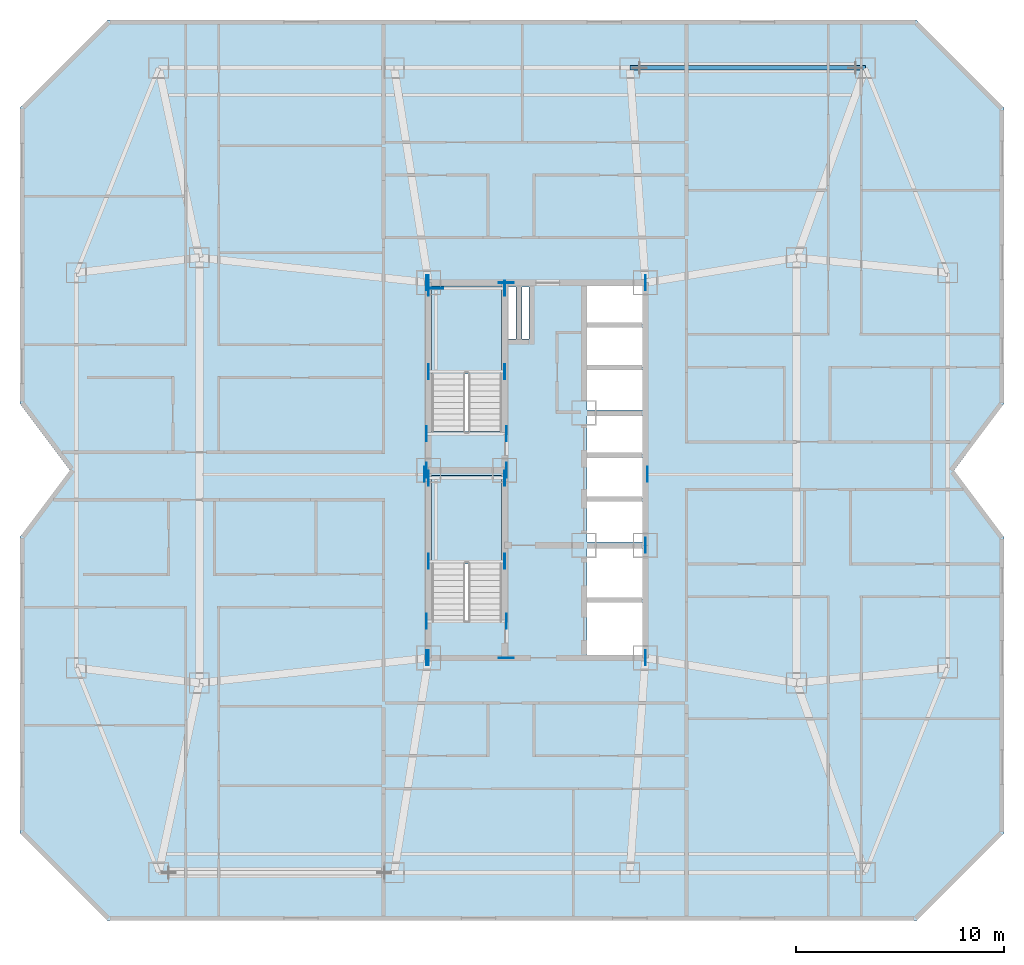
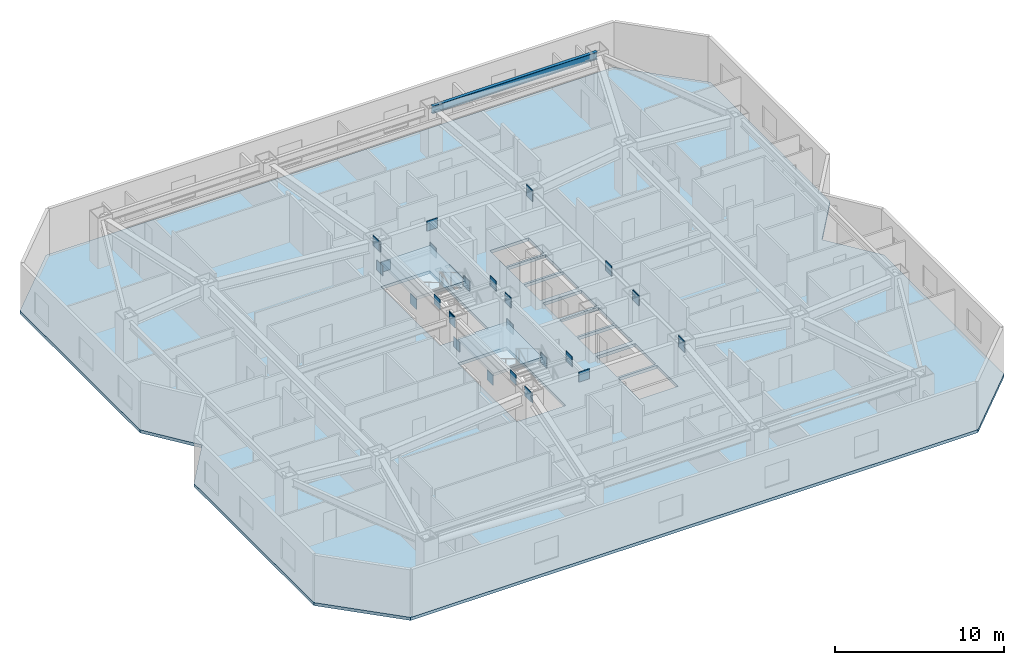
# One storey, part 2 of 10: 28 plates, 3 slabs, 1 beam, 2 elements without a shape of their own.
"""IFC4 building model written with IfcOpenShell, lengths in metres."""

from ifc_helpers import new_model, si_unit, direction, frame, origin, origin_2d, place, context, subcontext, project, spatial, polyline, rectangle, i_section, outline, extrude, material, layer, layer_set, material_profile, profile_set, type_object, element, aggregate, save


model = new_model("IFC4")

# Units and contexts
model_context = context("Model", 3, precision=1e-05, world=origin(), true_north=direction((0.0, 1.0)))
body_context = subcontext(model_context, "Body", "Model", "MODEL_VIEW")
ifc_project = project(units=[si_unit("LENGTHUNIT", "METRE"), si_unit("AREAUNIT", "SQUARE_METRE"), si_unit("VOLUMEUNIT", "CUBIC_METRE"), si_unit("PLANEANGLEUNIT", "RADIAN"), si_unit("MASSUNIT", "GRAM", prefix="KILO")], contexts=[model_context])

# Site, building, storey
site_placement = place(None, origin())
site = spatial("IfcSite", under=ifc_project, at=site_placement, CompositionType="ELEMENT")
building_placement = place(site_placement, origin())
building = spatial("IfcBuilding", under=site, at=building_placement, Name="Khamvora Tower", CompositionType="ELEMENT")
storey_placement = place(building_placement, frame((0.0, 0.0, 94.60009765625)))
storey = spatial("IfcBuildingStorey", under=building, at=storey_placement, Name="L23", CompositionType="ELEMENT", Elevation=94.60009765625)

# Beam
ifc_material_1 = material(Name="Steel S355", Category="steel")
ifc_material_profile = material_profile(ifc_material_1, i_section(OverallWidth=0.2119140625, OverallDepth=0.5439453125, WebThickness=0.012939453125, FlangeThickness=0.02099609375, FilletRadius=0.013916015625, at=origin_2d()), Name="W530x123")
ifc_profile_set = profile_set([ifc_material_profile], Name="Steel S355")
beam_type = type_object("IfcBeamType", Name="BM-SP-W530x123", PredefinedType="SPANDREL", material=ifc_profile_set)
beam_placement = place(storey_placement, frame((49.949951171875, 47.300048828125, 3.157958984375), z_axis=(-1.0, 0.0, 0.0), x_axis=(0.0, -1.0, 0.0)))
element("IfcBeam", 1, at=beam_placement, inside=storey, type_object=beam_type, Name="L23 perimeter spandrel beam N4-N3", PredefinedType="SPANDREL", context=body_context, shape_type="SweptSolid", body=[
    extrude(i_section(OverallWidth=0.2119140625, OverallDepth=0.5439453125, WebThickness=0.012939453125, FlangeThickness=0.02099609375, FilletRadius=0.013916015625, at=origin_2d()), origin(), (0.0, 0.0, 1.0), 11.300048828125),
])

# Plates
ifc_material_2 = material(Name="Steel S460", Category="steel")
ifc_layer_1 = layer(ifc_material_2, 0.034912109375)
ifc_layer_set_1 = layer_set([ifc_layer_1], Name="Steel S460")
plate_type = type_object("IfcPlateType", Name="PL-EMB-35", PredefinedType="SHEET", material=ifc_layer_set_1)
for number, where, z_axis, x_axis, name in (
    (2, (29.0, 23.635009765625, 1.1337890625), (0.0, 0.0, 1.0), (1.0, 0.0, 0.0), "L23 core shear wall cast-in embed plate 0684"),
    (3, (32.64990234375, 23.635009765625, 1.1337890625), (0.0, 0.0, 1.0), (1.0, 0.0, 0.0), "L23 core shear wall cast-in embed plate 0685"),
    (4, (29.0, 27.6298828125, 1.1337890625), (0.0, 0.0, 1.0), (1.0, 0.0, 0.0), "L23 core shear wall cast-in embed plate 0686"),
    (5, (32.64990234375, 27.6298828125, 1.1337890625), (0.0, 0.0, 1.0), (1.0, 0.0, 0.0), "L23 core shear wall cast-in embed plate 0687"),
    (6, (29.0, 32.735107421875, 1.1337890625), (0.0, 0.0, 1.0), (1.0, 0.0, 0.0), "L23 core shear wall cast-in embed plate 0688"),
    (7, (32.64990234375, 32.735107421875, 1.1337890625), (0.0, 0.0, 1.0), (1.0, 0.0, 0.0), "L23 core shear wall cast-in embed plate 0689"),
    (8, (29.0, 36.72998046875, 1.1337890625), (0.0, 0.0, 1.0), (1.0, 0.0, 0.0), "L23 core shear wall cast-in embed plate 0690"),
    (9, (32.64990234375, 36.72998046875, 1.1337890625), (0.0, 0.0, 1.0), (1.0, 0.0, 0.0), "L23 core shear wall cast-in embed plate 0691"),
):
    element("IfcPlate", number, at=place(storey_placement, frame(where, z_axis=z_axis, x_axis=x_axis)), inside=storey, type_object=plate_type, Name=name, PredefinedType="SHEET", context=body_context, shape_type="SweptSolid", body=[
        extrude(rectangle(XDim=0.034912109375, YDim=0.719970703125, at=origin_2d()), origin(), (0.0, 0.0, 1.0), 0.719970703125),
    ])
plate_1_placement = place(storey_placement, frame((29.35009765625, 36.72998046875, 1.1337890625), z_axis=(0.0, 0.0, 1.0), x_axis=(1.0, 0.0, 0.0)))
element("IfcPlate", 10, at=plate_1_placement, inside=storey, type_object=plate_type, Name="L23 core shear wall cast-in embed plate 0692", PredefinedType="SHEET", context=body_context, shape_type="SweptSolid", body=[
    extrude(rectangle(XDim=0.719970703125, YDim=0.034912109375, at=origin_2d()), origin(), (0.0, 0.0, 1.0), 0.719970703125),
])
for number, where, z_axis, x_axis, name in (
    (11, (29.0, 19.0, 2.68408203125), (0.0, 0.0, 1.0), (1.0, 0.0, 0.0), "L23 core shear wall cast-in embed plate 0693"),
    (12, (39.39990234375, 19.0, 2.68408203125), (0.0, 0.0, 1.0), (1.0, 0.0, 0.0), "L23 core shear wall cast-in embed plate 0694"),
    (13, (29.0, 37.0, 2.68408203125), (0.0, 0.0, 1.0), (1.0, 0.0, 0.0), "L23 core shear wall cast-in embed plate 0695"),
    (14, (39.39990234375, 37.0, 2.68408203125), (0.0, 0.0, 1.0), (1.0, 0.0, 0.0), "L23 core shear wall cast-in embed plate 0696"),
    (15, (28.89990234375, 19.0, 2.8037109375), (0.0, 0.0, 1.0), (1.0, 0.0, 0.0), "L23 core shear wall cast-in embed plate 0697"),
    (16, (28.89990234375, 28.0, 2.8037109375), (0.0, 0.0, 1.0), (1.0, 0.0, 0.0), "L23 core shear wall cast-in embed plate 0698"),
    (17, (28.89990234375, 37.0, 2.8037109375), (0.0, 0.0, 1.0), (1.0, 0.0, 0.0), "L23 core shear wall cast-in embed plate 0699"),
):
    element("IfcPlate", number, at=place(storey_placement, frame(where, z_axis=z_axis, x_axis=x_axis)), inside=storey, type_object=plate_type, Name=name, PredefinedType="SHEET", context=body_context, shape_type="SweptSolid", body=[
        extrude(rectangle(XDim=0.034912109375, YDim=0.719970703125, at=origin_2d()), origin(), (0.0, 0.0, 1.0), 0.719970703125),
    ])
plate_2_placement = place(storey_placement, frame((32.72998046875, 19.0, 2.8037109375), z_axis=(0.0, 0.0, 1.0), x_axis=(1.0, 0.0, 0.0)))
element("IfcPlate", 18, at=plate_2_placement, inside=storey, type_object=plate_type, Name="L23 core shear wall cast-in embed plate 0700", PredefinedType="SHEET", context=body_context, shape_type="SweptSolid", body=[
    extrude(rectangle(XDim=0.719970703125, YDim=0.034912109375, at=origin_2d()), origin(), (0.0, 0.0, 1.0), 0.719970703125),
])
plate_3_placement = place(storey_placement, frame((32.72998046875, 28.0, 2.8037109375), z_axis=(0.0, 0.0, 1.0), x_axis=(1.0, 0.0, 0.0)))
element("IfcPlate", 19, at=plate_3_placement, inside=storey, type_object=plate_type, Name="L23 core shear wall cast-in embed plate 0701", PredefinedType="SHEET", context=body_context, shape_type="SweptSolid", body=[
    extrude(rectangle(XDim=0.034912109375, YDim=0.719970703125, at=origin_2d()), origin(), (0.0, 0.0, 1.0), 0.719970703125),
])
plate_4_placement = place(storey_placement, frame((32.72998046875, 37.0, 2.8037109375), z_axis=(0.0, 0.0, 1.0), x_axis=(1.0, 0.0, 0.0)))
element("IfcPlate", 20, at=plate_4_placement, inside=storey, type_object=plate_type, Name="L23 core shear wall cast-in embed plate 0702", PredefinedType="SHEET", context=body_context, shape_type="SweptSolid", body=[
    extrude(rectangle(XDim=0.719970703125, YDim=0.034912109375, at=origin_2d()), origin(), (0.0, 0.0, 1.0), 0.719970703125),
])
for number, where, z_axis, x_axis, name in (
    (21, (39.39990234375, 19.0, 2.8037109375), (0.0, 0.0, 1.0), (1.0, 0.0, 0.0), "L23 core shear wall cast-in embed plate 0703"),
    (22, (39.39990234375, 24.39990234375, 2.8037109375), (0.0, 0.0, 1.0), (1.0, 0.0, 0.0), "L23 core shear wall cast-in embed plate 0704"),
    (23, (39.39990234375, 37.0, 2.8037109375), (0.0, 0.0, 1.0), (1.0, 0.0, 0.0), "L23 core shear wall cast-in embed plate 0705"),
    (24, (28.89990234375, 20.75, 2.94384765625), (0.0, 0.0, 1.0), (1.0, 0.0, 0.0), "L23 core shear wall cast-in embed plate 0706"),
    (25, (32.72998046875, 20.75, 2.94384765625), (0.0, 0.0, 1.0), (1.0, 0.0, 0.0), "L23 core shear wall cast-in embed plate 0707"),
    (26, (28.89990234375, 29.75, 2.94384765625), (0.0, 0.0, 1.0), (1.0, 0.0, 0.0), "L23 core shear wall cast-in embed plate 0708"),
    (27, (32.72998046875, 29.75, 2.94384765625), (0.0, 0.0, 1.0), (1.0, 0.0, 0.0), "L23 core shear wall cast-in embed plate 0709"),
    (28, (28.800048828125, 27.800048828125, 2.83984375), (0.0, 0.0, 1.0), (1.0, 0.0, 0.0), "L23 core shear wall cast-in embed plate 0710"),
    (29, (39.4990234375, 27.800048828125, 2.83984375), (0.0, 0.0, 1.0), (1.0, 0.0, 0.0), "L23 core shear wall cast-in embed plate 0711"),
):
    element("IfcPlate", number, at=place(storey_placement, frame(where, z_axis=z_axis, x_axis=x_axis)), inside=storey, type_object=plate_type, Name=name, PredefinedType="SHEET", context=body_context, shape_type="SweptSolid", body=[
        extrude(rectangle(XDim=0.034912109375, YDim=0.719970703125, at=origin_2d()), origin(), (0.0, 0.0, 1.0), 0.719970703125),
    ])

# Stair, slab
ifc_material_3 = material(Name="Concrete C40/50", Category="concrete")
stair_type_1 = type_object("IfcStairType", Name="STR-ST-01", PredefinedType="HALF_TURN_STAIR", material=ifc_material_3)
stair_1_placement = place(storey_placement, origin())
stair_1 = element("IfcStair", 30, at=stair_1_placement, inside=storey, type_object=stair_type_1, Name="L23 South Tower Exit Stair ST-01", PredefinedType="HALF_TURN_STAIR")
ifc_layer_2 = layer(ifc_material_3, 0.199951171875)
ifc_layer_set_2 = layer_set([ifc_layer_2], Name="Concrete C40/50")
slab_type_1 = type_object("IfcSlabType", Name="SLB-LND-200", PredefinedType="LANDING", material=ifc_layer_set_2)
slab_1_placement = place(storey_placement, frame((0.0, 0.0, 1.625)))
slab_1 = element("IfcSlab", 31, at=slab_1_placement, type_object=slab_type_1, Name="ST-01 landing 1", PredefinedType="LANDING", context=body_context, shape_type="SweptSolid", body=[
    extrude(outline(polyline([(32.5, 23.514892578125), (32.5, 27.75), (29.14990234375, 27.75), (29.14990234375, 23.514892578125), (32.5, 23.514892578125)])), origin(), (0.0, 0.0, 1.0), 0.199951171875),
])
aggregate(stair_1, [slab_1])

stair_type_2 = type_object("IfcStairType", Name="STR-ST-02", PredefinedType="HALF_TURN_STAIR", material=ifc_material_3)
stair_2_placement = place(storey_placement, origin())
stair_2 = element("IfcStair", 32, at=stair_2_placement, inside=storey, type_object=stair_type_2, Name="L23 North Tower Exit Stair ST-02", PredefinedType="HALF_TURN_STAIR")
slab_2_placement = place(storey_placement, frame((0.0, 0.0, 1.625)))
slab_2 = element("IfcSlab", 33, at=slab_2_placement, type_object=slab_type_1, Name="ST-02 landing 1", PredefinedType="LANDING", context=body_context, shape_type="SweptSolid", body=[
    extrude(outline(polyline([(32.5, 32.614990234375), (32.5, 36.85009765625), (29.14990234375, 36.85009765625), (29.14990234375, 32.614990234375), (32.5, 32.614990234375)])), origin(), (0.0, 0.0, 1.0), 0.199951171875),
])
aggregate(stair_2, [slab_2])

# Slab
ifc_material_4 = material(Name="Concrete C35/45", Category="concrete")
ifc_layer_3 = layer(ifc_material_4, 0.219970703125)
ifc_layer_set_3 = layer_set([ifc_layer_3], Name="Concrete C35/45")
slab_type_2 = type_object("IfcSlabType", Name="SLB-TYP-220", PredefinedType="FLOOR", material=ifc_layer_set_3)
slab_3_placement = place(storey_placement, frame((0.0, 0.0, -0.22021484375)))
element("IfcSlab", 34, at=slab_3_placement, inside=storey, type_object=slab_type_2, Name="L23 structural floor slab", PredefinedType="FLOOR", context=body_context, shape_type="SweptSolid", body=[
    extrude(outline(polyline([(13.60009765625, 6.39990234375), (52.39990234375, 6.39990234375), (56.60009765625, 10.60009765625), (56.60009765625, 24.800048828125), (54.199951171875, 28.0), (56.60009765625, 31.199951171875), (56.60009765625, 45.39990234375), (52.39990234375, 49.60009765625), (13.60009765625, 49.60009765625), (9.39990234375, 45.39990234375), (9.39990234375, 31.199951171875), (11.800048828125, 28.0), (9.39990234375, 24.800048828125), (9.39990234375, 10.60009765625), (13.60009765625, 6.39990234375)]), holes=[polyline([(32.5, 20.760009765625), (32.5, 27.75), (29.14990234375, 27.75), (29.14990234375, 20.760009765625), (32.5, 20.760009765625)]), polyline([(32.5, 29.860107421875), (32.5, 36.85009765625), (29.14990234375, 36.85009765625), (29.14990234375, 29.860107421875), (32.5, 29.860107421875)]), polyline([(36.60009765625, 19.14990234375), (39.25, 19.14990234375), (39.25, 21.64990234375), (36.60009765625, 21.64990234375), (36.60009765625, 19.14990234375)]), polyline([(36.60009765625, 21.800048828125), (39.25, 21.800048828125), (39.25, 24.25), (36.60009765625, 24.25), (36.60009765625, 21.800048828125)]), polyline([(36.60009765625, 24.550048828125), (39.25, 24.550048828125), (39.25, 26.5), (36.60009765625, 26.5), (36.60009765625, 24.550048828125)]), polyline([(36.60009765625, 26.64990234375), (39.25, 26.64990234375), (39.25, 28.60009765625), (36.60009765625, 28.60009765625), (36.60009765625, 26.64990234375)]), polyline([(36.60009765625, 28.75), (39.25, 28.75), (39.25, 30.60009765625), (36.60009765625, 30.60009765625), (36.60009765625, 28.75)]), polyline([(36.60009765625, 30.89990234375), (39.25, 30.89990234375), (39.25, 32.800048828125), (36.60009765625, 32.800048828125), (36.60009765625, 30.89990234375)]), polyline([(36.60009765625, 32.949951171875), (39.25, 32.949951171875), (39.25, 34.85009765625), (36.60009765625, 34.85009765625), (36.60009765625, 32.949951171875)]), polyline([(36.60009765625, 35.0), (39.25, 35.0), (39.25, 36.85009765625), (36.60009765625, 36.85009765625), (36.60009765625, 35.0)]), polyline([(32.800048828125, 34.300048828125), (33.199951171875, 34.300048828125), (33.199951171875, 36.800048828125), (32.800048828125, 36.800048828125), (32.800048828125, 34.300048828125)]), polyline([(33.47998046875, 34.300048828125), (33.820068359375, 34.300048828125), (33.820068359375, 36.800048828125), (33.47998046875, 36.800048828125), (33.47998046875, 34.300048828125)])]), origin(), (0.0, 0.0, 1.0), 0.22021484375),
])

save(model, "model.ifc")
